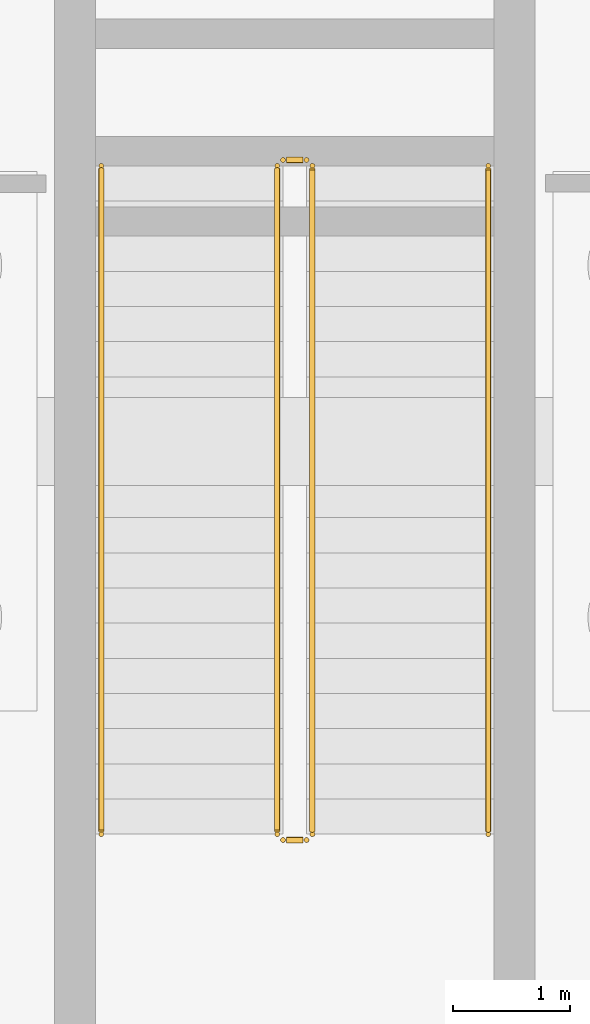
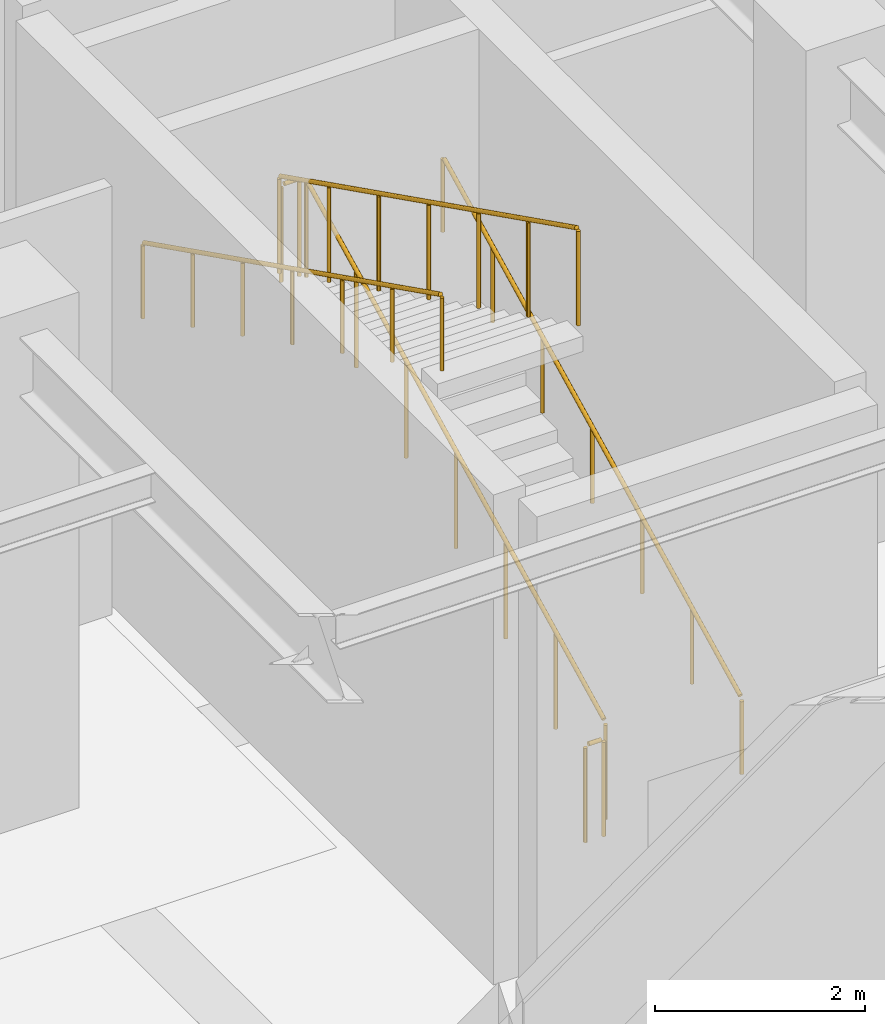
# One storey, part 26 of 36: 6 railings.
"""IFC4 building model written with IfcOpenShell, lengths in metres."""

import ifcopenshell
import ifcopenshell.guid

model = None  # the IFC model being written
_history = None  # IfcOwnerHistory: only IFC2X3 demands one
_inside = {}  # id of a spatial element -> (the spatial element, [elements in it])
_under = {}  # id of a project, library or spatial element -> (it, [spatial elements below it])
_declared = {}  # id of a project -> (the project, [libraries it declares])
_typed = {}  # id of a type object -> (the type object, [elements of that type])
_made_of = {}  # id of a material, layer set ... -> (it, [elements and type objects made of it])


def new_model(schema):
    """Start an empty IFC model of exactly this schema.

    Asked for "IFC4X3", IfcOpenShell would pick the latest addendum, in which some entities
    have other attributes; the version numbers below select the first issue.
    IFC2X3 requires an IfcOwnerHistory on every rooted entity: one is made here for all.
    """
    global model, _history
    if schema == "IFC4X3":
        model = ifcopenshell.file(schema_version=(4, 3, 0, 0))
    else:
        model = ifcopenshell.file(schema=schema)
    _inside.clear()
    _under.clear()
    _declared.clear()
    _typed.clear()
    _made_of.clear()
    _history = None
    if model.schema == "IFC2X3":
        org = make("IfcOrganization", Name="unknown")
        user = make(
            "IfcPersonAndOrganization",
            ThePerson=make("IfcPerson", FamilyName="unknown"),
            TheOrganization=org,
        )
        app = make(
            "IfcApplication",
            ApplicationDeveloper=org,
            Version="unknown",
            ApplicationFullName="unknown",
            ApplicationIdentifier="unknown",
        )
        _history = make(
            "IfcOwnerHistory",
            OwningUser=user,
            OwningApplication=app,
            ChangeAction="ADDED",
            CreationDate=0,
        )
    return model


def make(cls, **values):
    """One entity of the class cls with the attributes given. An attribute that is None is left unset."""
    return model.create_entity(
        cls, **{name: value for name, value in values.items() if value is not None}
    )


def rooted(cls, **values):
    """An entity with a GlobalId (a new one), such as an element, a storey or a relation."""
    return make(cls, GlobalId=ifcopenshell.guid.new(), OwnerHistory=_history, **values)


def si_unit(unit_type, name, prefix=None):
    """IfcSIUnit, for example si_unit("LENGTHUNIT", "METRE", prefix="MILLI")."""
    return make("IfcSIUnit", UnitType=unit_type, Prefix=prefix, Name=name)


def assignment(units):
    """IfcUnitAssignment: the units of a project."""
    return None if units is None else make("IfcUnitAssignment", Units=units)


def point(xyz):
    """IfcCartesianPoint."""
    return None if xyz is None else make("IfcCartesianPoint", Coordinates=xyz)


def direction(xyz):
    """IfcDirection."""
    return None if xyz is None else make("IfcDirection", DirectionRatios=xyz)


def frame(location, z_axis=None, x_axis=None):
    """IfcAxis2Placement3D, a coordinate frame: its origin and axes. An axis left out is left unset."""
    return make(
        "IfcAxis2Placement3D",
        Location=point(location),
        Axis=direction(z_axis),
        RefDirection=direction(x_axis),
    )


def frame_2d(location, x_axis=None):
    """IfcAxis2Placement2D, a coordinate frame in the plane: its origin and x axis."""
    return make(
        "IfcAxis2Placement2D", Location=point(location), RefDirection=direction(x_axis)
    )


def origin():
    """The frame at (0, 0, 0) with its axes left unset."""
    return frame((0.0, 0.0, 0.0))


def origin_2d():
    """The frame at (0, 0) in the plane with its x axis left unset."""
    return frame_2d((0.0, 0.0))


def place(relative_to, where):
    """IfcLocalPlacement: puts the frame where relative to a parent placement (None: the world)."""
    return make(
        "IfcLocalPlacement", PlacementRelTo=relative_to, RelativePlacement=where
    )


def context(
    kind, dimensions, precision=None, world=None, true_north=None, identifier=None
):
    """IfcGeometricRepresentationContext, for example the 3D "Model" context."""
    return make(
        "IfcGeometricRepresentationContext",
        ContextIdentifier=identifier,
        ContextType=kind,
        CoordinateSpaceDimension=dimensions,
        Precision=precision,
        WorldCoordinateSystem=world,
        TrueNorth=true_north,
    )


def subcontext(parent, identifier, kind, view, scale=None):
    """IfcGeometricRepresentationSubContext, for example "Body" below "Model"."""
    return make(
        "IfcGeometricRepresentationSubContext",
        ContextIdentifier=identifier,
        ContextType=kind,
        ParentContext=parent,
        TargetScale=scale,
        TargetView=view,
    )


def project(units=None, contexts=None):
    """IfcProject with its units and contexts."""
    return rooted(
        "IfcProject",
        Name="project",
        RepresentationContexts=contexts,
        UnitsInContext=assignment(units),
    )


def spatial(cls, under=None, at=None, **own):
    """A site, building, storey or space (cls), placed at a placement, below another one or the project."""
    s = rooted(cls, ObjectPlacement=at, **own)
    if under is not None:
        _under.setdefault(under.id(), (under, []))[1].append(s)
    return s


def profile(cls, at=None, kind="AREA", **sizes):
    """A parametric profile (cls). Its sizes go by their IFC names, for example OverallWidth=200.0."""
    return make(cls, ProfileType=kind, Position=at, **sizes)


def circle(**sizes):
    """IfcCircleProfileDef."""
    return profile("IfcCircleProfileDef", **sizes)


def extrude(swept, where, along, depth):
    """IfcExtrudedAreaSolid: the profile swept, set in the frame where, extruded along a direction by depth."""
    return make(
        "IfcExtrudedAreaSolid",
        SweptArea=swept,
        Position=where,
        ExtrudedDirection=direction(along),
        Depth=depth,
    )


def shape(context_of_items, identifier, shape_type, items):
    """IfcShapeRepresentation: the items that make up one representation, for example the "Body"."""
    return make(
        "IfcShapeRepresentation",
        ContextOfItems=context_of_items,
        RepresentationIdentifier=identifier,
        RepresentationType=shape_type,
        Items=items,
    )


def material(Name=None, Category=None):
    """IfcMaterial."""
    return make("IfcMaterial", Name=Name, Category=Category)


def made_of(thing, what):
    """Note that an element or type object is made of a material, layer set ...; save() writes the relation."""
    if what is not None:
        _made_of.setdefault(what.id(), (what, []))[1].append(thing)
    return thing


def type_object(cls, material=None, **own):
    """A type object (cls), such as IfcWallType, which elements share."""
    return made_of(rooted(cls, **own), material)


def element(
    cls,
    number,
    at=None,
    inside=None,
    cuts=None,
    type_object=None,
    material=None,
    context=None,
    identifier="Body",
    shape_type=None,
    held_by="IfcProductDefinitionShape",
    body=None,
    shapes=None,
    **own,
):
    """One element of the class cls, such as IfcWall. Its Tag is "e" and its number.

    at: its placement. inside: the storey or other place that contains it. cuts: it is an
    opening in that element (IfcRelVoidsElement). A single representation is given by context,
    identifier, shape_type and body (its items); several are given by shapes. held_by: the class
    of the entity that holds the representations. save() writes the other relations.
    """
    e = rooted(cls, Tag="e%d" % number, ObjectPlacement=at, **own)
    if body is not None:
        shapes = [shape(context, identifier, shape_type, body)]
    if shapes is not None:
        e.Representation = make(held_by, Representations=shapes)
    if inside is not None:
        _inside.setdefault(inside.id(), (inside, []))[1].append(e)
    if cuts is not None:
        rooted(
            "IfcRelVoidsElement", RelatingBuildingElement=cuts, RelatedOpeningElement=e
        )
    if type_object is not None:
        _typed.setdefault(type_object.id(), (type_object, []))[1].append(e)
    return made_of(e, material)


def aggregate(whole, parts):
    """IfcRelAggregates: a whole, such as a stair, and the parts it consists of."""
    return rooted("IfcRelAggregates", RelatingObject=whole, RelatedObjects=parts)


def save(model, path):
    """Write the relations noted so far, then the file.

    IfcRelAggregates (storeys below a building ...), IfcRelContainedInSpatialStructure (elements
    in a storey), IfcRelDefinesByType, IfcRelAssociatesMaterial and IfcRelDeclares: one each for
    every whole, place, type object, material and project.
    """
    for whole, parts in _under.values():
        aggregate(whole, parts)
    for where, things in _inside.values():
        rooted(
            "IfcRelContainedInSpatialStructure",
            RelatedElements=things,
            RelatingStructure=where,
        )
    for kind, things in _typed.values():
        rooted("IfcRelDefinesByType", RelatedObjects=things, RelatingType=kind)
    for what, things in _made_of.values():
        rooted("IfcRelAssociatesMaterial", RelatedObjects=things, RelatingMaterial=what)
    for by, libraries in _declared.values():
        rooted("IfcRelDeclares", RelatingContext=by, RelatedDefinitions=libraries)
    model.write(path)


model = new_model("IFC4")

# Units and contexts
model_context = context("Model", 3, precision=1e-05, world=origin(), true_north=direction((0.0, 1.0)))
body_context = subcontext(model_context, "Body", "Model", "MODEL_VIEW")
ifc_project = project(units=[si_unit("LENGTHUNIT", "METRE"), si_unit("AREAUNIT", "SQUARE_METRE"), si_unit("VOLUMEUNIT", "CUBIC_METRE"), si_unit("PLANEANGLEUNIT", "RADIAN"), si_unit("MASSUNIT", "GRAM", prefix="KILO")], contexts=[model_context])

# Site, building, storey
site_placement = place(None, origin())
site = spatial("IfcSite", under=ifc_project, at=site_placement, CompositionType="ELEMENT")
building_placement = place(site_placement, origin())
building = spatial("IfcBuilding", under=site, at=building_placement, Name="Haizhuo Lancet Aquarium", CompositionType="ELEMENT")
storey_placement = place(building_placement, frame((0.0, 0.0, -6.0)))
storey = spatial("IfcBuildingStorey", under=building, at=storey_placement, Name="B1", CompositionType="ELEMENT", Elevation=-6.0)

# Railings
ifc_material = material(Name="Steel S355", Category="steel")
railing_type_1 = type_object("IfcRailingType", Name="RL-GRD-1150", PredefinedType="GUARDRAIL", material=ifc_material)
railing_1_placement = place(storey_placement, frame((-40.35009765625, -21.35009765625, 0.14990234375)))
element("IfcRailing", 1, at=railing_1_placement, inside=storey, type_object=railing_type_1, Name="B1 ST-09 stair guard 1", PredefinedType="GUARDRAIL", context=body_context, shape_type="SweptSolid", body=[
    extrude(circle(Radius=0.02392578125, at=origin_2d()), frame((0.0, 0.02685546875, 1.13916015625), z_axis=(0.0, 0.894427191, 0.4472135955), x_axis=(-1.0, 0.0, 0.0)), (0.0, 0.0, 1.0), 6.31298828125),
    extrude(circle(Radius=0.02099609375, at=origin_2d()), origin(), (0.0, 0.0, 1.0), 1.097900390625),
    extrude(circle(Radius=0.02099609375, at=origin_2d()), frame((0.0, 0.949951171875, 0.47509765625)), (0.0, 0.0, 1.0), 1.097900390625),
    extrude(circle(Radius=0.02099609375, at=origin_2d()), frame((0.0, 1.900146484375, 0.949951171875)), (0.0, 0.0, 1.0), 1.097900390625),
    extrude(circle(Radius=0.02099609375, at=origin_2d()), frame((0.0, 2.85009765625, 1.425048828125)), (0.0, 0.0, 1.0), 1.097900390625),
    extrude(circle(Radius=0.02099609375, at=origin_2d()), frame((0.0, 3.800048828125, 1.900146484375)), (0.0, 0.0, 1.0), 1.097900390625),
    extrude(circle(Radius=0.02099609375, at=origin_2d()), frame((0.0, 4.750244140625, 2.375)), (0.0, 0.0, 1.0), 1.097900390625),
    extrude(circle(Radius=0.02099609375, at=origin_2d()), frame((0.0, 5.7001953125, 2.85009765625)), (0.0, 0.0, 1.0), 1.097900390625),
])
railing_2_placement = place(storey_placement, frame((-40.39990234375, -15.60009765625, 3.0)))
element("IfcRailing", 2, at=railing_2_placement, inside=storey, type_object=railing_type_1, Name="B1 ST-09 stair guard 2", PredefinedType="GUARDRAIL", context=body_context, shape_type="SweptSolid", body=[
    extrude(circle(Radius=0.02392578125, at=origin_2d()), frame((-0.030029296875, 0.0, 1.1259765625), z_axis=(-1.0, 0.0, 0.0), x_axis=(0.0, -1.0, 0.0)), (0.0, 0.0, 1.0), 0.14013671875),
    extrude(circle(Radius=0.02099609375, at=origin_2d()), origin(), (0.0, 0.0, 1.0), 1.097900390625),
    extrude(circle(Radius=0.02099609375, at=origin_2d()), frame((-0.2001953125, 0.0, 0.0)), (0.0, 0.0, 1.0), 1.097900390625),
])
railing_3_placement = place(storey_placement, frame((-40.64990234375, -15.64990234375, 3.14990234375)))
element("IfcRailing", 3, at=railing_3_placement, inside=storey, type_object=railing_type_1, Name="B1 ST-09 stair guard 3", PredefinedType="GUARDRAIL", context=body_context, shape_type="SweptSolid", body=[
    extrude(circle(Radius=0.02392578125, at=origin_2d()), frame((0.0, -0.02685546875, 1.13916015625), z_axis=(0.0, -0.894427191, 0.4472135955), x_axis=(1.0, 0.0, 0.0)), (0.0, 0.0, 1.0), 6.31298828125),
    extrude(circle(Radius=0.02099609375, at=origin_2d()), origin(), (0.0, 0.0, 1.0), 1.097900390625),
    extrude(circle(Radius=0.02099609375, at=origin_2d()), frame((0.0, -0.949951171875, 0.47509765625)), (0.0, 0.0, 1.0), 1.097900390625),
    extrude(circle(Radius=0.02099609375, at=origin_2d()), frame((0.0, -1.900146484375, 0.949951171875)), (0.0, 0.0, 1.0), 1.097900390625),
    extrude(circle(Radius=0.02099609375, at=origin_2d()), frame((0.0, -2.85009765625, 1.425048828125)), (0.0, 0.0, 1.0), 1.097900390625),
    extrude(circle(Radius=0.02099609375, at=origin_2d()), frame((0.0, -3.800048828125, 1.900146484375)), (0.0, 0.0, 1.0), 1.097900390625),
    extrude(circle(Radius=0.02099609375, at=origin_2d()), frame((0.0, -4.750244140625, 2.375)), (0.0, 0.0, 1.0), 1.097900390625),
    extrude(circle(Radius=0.02099609375, at=origin_2d()), frame((0.0, -5.7001953125, 2.85009765625)), (0.0, 0.0, 1.0), 1.097900390625),
])
railing_4_placement = place(storey_placement, frame((-40.39990234375, -21.39990234375, 0.0)))
element("IfcRailing", 4, at=railing_4_placement, inside=storey, type_object=railing_type_1, Name="B1 ST-09 stair guard 4", PredefinedType="GUARDRAIL", context=body_context, shape_type="SweptSolid", body=[
    extrude(circle(Radius=0.02392578125, at=origin_2d()), frame((-0.030029296875, 0.0, 1.1259765625), z_axis=(-1.0, 0.0, 0.0), x_axis=(0.0, -1.0, 0.0)), (0.0, 0.0, 1.0), 0.14013671875),
    extrude(circle(Radius=0.02099609375, at=origin_2d()), origin(), (0.0, 0.0, 1.0), 1.097900390625),
    extrude(circle(Radius=0.02099609375, at=origin_2d()), frame((-0.2001953125, 0.0, 0.0)), (0.0, 0.0, 1.0), 1.097900390625),
])
railing_type_2 = type_object("IfcRailingType", Name="RL-HDR-900", PredefinedType="HANDRAIL", material=ifc_material)
railing_5_placement = place(storey_placement, frame((-38.85009765625, -21.35009765625, 0.14990234375)))
element("IfcRailing", 5, at=railing_5_placement, inside=storey, type_object=railing_type_2, Name="B1 ST-09 pitch handrail 1", PredefinedType="HANDRAIL", context=body_context, shape_type="SweptSolid", body=[
    extrude(circle(Radius=0.02392578125, at=origin_2d()), frame((0.0, 0.02685546875, 0.88916015625), z_axis=(0.0, 0.894427191, 0.4472135955), x_axis=(-1.0, 0.0, 0.0)), (0.0, 0.0, 1.0), 6.31298828125),
    extrude(circle(Radius=0.02099609375, at=origin_2d()), origin(), (0.0, 0.0, 1.0), 0.847900390625),
    extrude(circle(Radius=0.02099609375, at=origin_2d()), frame((0.0, 0.949951171875, 0.47509765625)), (0.0, 0.0, 1.0), 0.847900390625),
    extrude(circle(Radius=0.02099609375, at=origin_2d()), frame((0.0, 1.900146484375, 0.949951171875)), (0.0, 0.0, 1.0), 0.847900390625),
    extrude(circle(Radius=0.02099609375, at=origin_2d()), frame((0.0, 2.85009765625, 1.425048828125)), (0.0, 0.0, 1.0), 0.847900390625),
    extrude(circle(Radius=0.02099609375, at=origin_2d()), frame((0.0, 3.800048828125, 1.900146484375)), (0.0, 0.0, 1.0), 0.847900390625),
    extrude(circle(Radius=0.02099609375, at=origin_2d()), frame((0.0, 4.750244140625, 2.375)), (0.0, 0.0, 1.0), 0.847900390625),
    extrude(circle(Radius=0.02099609375, at=origin_2d()), frame((0.0, 5.7001953125, 2.85009765625)), (0.0, 0.0, 1.0), 0.847900390625),
])
railing_6_placement = place(storey_placement, frame((-42.14990234375, -15.64990234375, 3.14990234375)))
element("IfcRailing", 6, at=railing_6_placement, inside=storey, type_object=railing_type_2, Name="B1 ST-09 pitch handrail 2", PredefinedType="HANDRAIL", context=body_context, shape_type="SweptSolid", body=[
    extrude(circle(Radius=0.02392578125, at=origin_2d()), frame((0.0, -0.02685546875, 0.88916015625), z_axis=(0.0, -0.894427191, 0.4472135955), x_axis=(1.0, 0.0, 0.0)), (0.0, 0.0, 1.0), 6.31298828125),
    extrude(circle(Radius=0.02099609375, at=origin_2d()), origin(), (0.0, 0.0, 1.0), 0.847900390625),
    extrude(circle(Radius=0.02099609375, at=origin_2d()), frame((0.0, -0.949951171875, 0.47509765625)), (0.0, 0.0, 1.0), 0.847900390625),
    extrude(circle(Radius=0.02099609375, at=origin_2d()), frame((0.0, -1.900146484375, 0.949951171875)), (0.0, 0.0, 1.0), 0.847900390625),
    extrude(circle(Radius=0.02099609375, at=origin_2d()), frame((0.0, -2.85009765625, 1.425048828125)), (0.0, 0.0, 1.0), 0.847900390625),
    extrude(circle(Radius=0.02099609375, at=origin_2d()), frame((0.0, -3.800048828125, 1.900146484375)), (0.0, 0.0, 1.0), 0.847900390625),
    extrude(circle(Radius=0.02099609375, at=origin_2d()), frame((0.0, -4.750244140625, 2.375)), (0.0, 0.0, 1.0), 0.847900390625),
    extrude(circle(Radius=0.02099609375, at=origin_2d()), frame((0.0, -5.7001953125, 2.85009765625)), (0.0, 0.0, 1.0), 0.847900390625),
])

save(model, "model.ifc")
